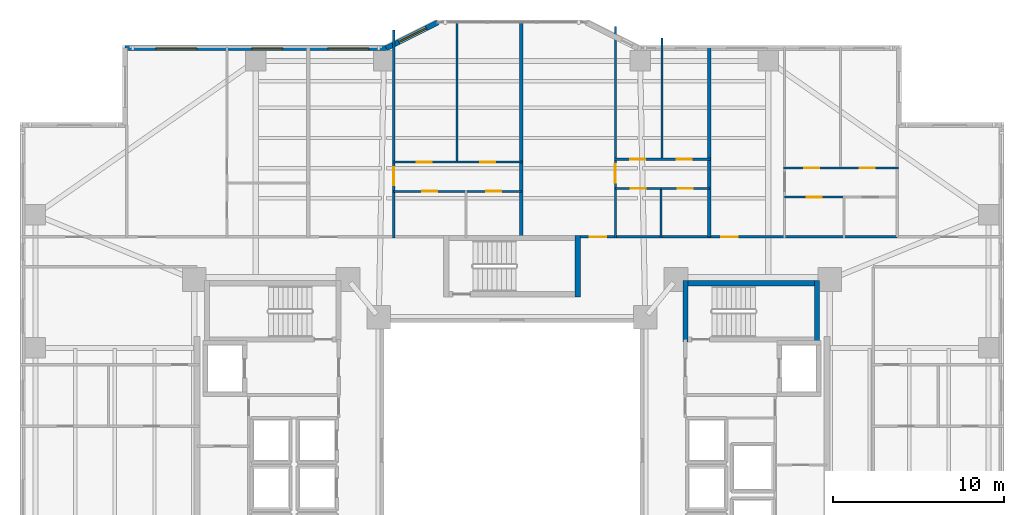
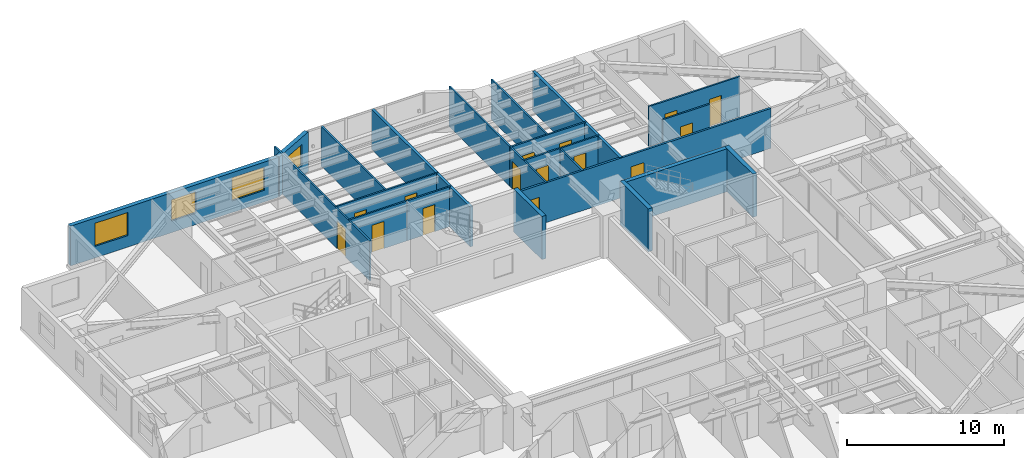
# One storey, part 15 of 21: 22 walls, 15 doors, 4 windows, 19 openings.
"""IFC4 building model written with IfcOpenShell, lengths in metres."""

import ifcopenshell
import ifcopenshell.guid

model = None  # the IFC model being written
_history = None  # IfcOwnerHistory: only IFC2X3 demands one
_inside = {}  # id of a spatial element -> (the spatial element, [elements in it])
_under = {}  # id of a project, library or spatial element -> (it, [spatial elements below it])
_declared = {}  # id of a project -> (the project, [libraries it declares])
_typed = {}  # id of a type object -> (the type object, [elements of that type])
_made_of = {}  # id of a material, layer set ... -> (it, [elements and type objects made of it])


def new_model(schema):
    """Start an empty IFC model of exactly this schema.

    Asked for "IFC4X3", IfcOpenShell would pick the latest addendum, in which some entities
    have other attributes; the version numbers below select the first issue.
    IFC2X3 requires an IfcOwnerHistory on every rooted entity: one is made here for all.
    """
    global model, _history
    if schema == "IFC4X3":
        model = ifcopenshell.file(schema_version=(4, 3, 0, 0))
    else:
        model = ifcopenshell.file(schema=schema)
    _inside.clear()
    _under.clear()
    _declared.clear()
    _typed.clear()
    _made_of.clear()
    _history = None
    if model.schema == "IFC2X3":
        org = make("IfcOrganization", Name="unknown")
        user = make(
            "IfcPersonAndOrganization",
            ThePerson=make("IfcPerson", FamilyName="unknown"),
            TheOrganization=org,
        )
        app = make(
            "IfcApplication",
            ApplicationDeveloper=org,
            Version="unknown",
            ApplicationFullName="unknown",
            ApplicationIdentifier="unknown",
        )
        _history = make(
            "IfcOwnerHistory",
            OwningUser=user,
            OwningApplication=app,
            ChangeAction="ADDED",
            CreationDate=0,
        )
    return model


def make(cls, **values):
    """One entity of the class cls with the attributes given. An attribute that is None is left unset."""
    return model.create_entity(
        cls, **{name: value for name, value in values.items() if value is not None}
    )


def rooted(cls, **values):
    """An entity with a GlobalId (a new one), such as an element, a storey or a relation."""
    return make(cls, GlobalId=ifcopenshell.guid.new(), OwnerHistory=_history, **values)


def si_unit(unit_type, name, prefix=None):
    """IfcSIUnit, for example si_unit("LENGTHUNIT", "METRE", prefix="MILLI")."""
    return make("IfcSIUnit", UnitType=unit_type, Prefix=prefix, Name=name)


def assignment(units):
    """IfcUnitAssignment: the units of a project."""
    return None if units is None else make("IfcUnitAssignment", Units=units)


def point(xyz):
    """IfcCartesianPoint."""
    return None if xyz is None else make("IfcCartesianPoint", Coordinates=xyz)


def direction(xyz):
    """IfcDirection."""
    return None if xyz is None else make("IfcDirection", DirectionRatios=xyz)


def frame(location, z_axis=None, x_axis=None):
    """IfcAxis2Placement3D, a coordinate frame: its origin and axes. An axis left out is left unset."""
    return make(
        "IfcAxis2Placement3D",
        Location=point(location),
        Axis=direction(z_axis),
        RefDirection=direction(x_axis),
    )


def frame_2d(location, x_axis=None):
    """IfcAxis2Placement2D, a coordinate frame in the plane: its origin and x axis."""
    return make(
        "IfcAxis2Placement2D", Location=point(location), RefDirection=direction(x_axis)
    )


def origin():
    """The frame at (0, 0, 0) with its axes left unset."""
    return frame((0.0, 0.0, 0.0))


def place(relative_to, where):
    """IfcLocalPlacement: puts the frame where relative to a parent placement (None: the world)."""
    return make(
        "IfcLocalPlacement", PlacementRelTo=relative_to, RelativePlacement=where
    )


def context(
    kind, dimensions, precision=None, world=None, true_north=None, identifier=None
):
    """IfcGeometricRepresentationContext, for example the 3D "Model" context."""
    return make(
        "IfcGeometricRepresentationContext",
        ContextIdentifier=identifier,
        ContextType=kind,
        CoordinateSpaceDimension=dimensions,
        Precision=precision,
        WorldCoordinateSystem=world,
        TrueNorth=true_north,
    )


def subcontext(parent, identifier, kind, view, scale=None):
    """IfcGeometricRepresentationSubContext, for example "Body" below "Model"."""
    return make(
        "IfcGeometricRepresentationSubContext",
        ContextIdentifier=identifier,
        ContextType=kind,
        ParentContext=parent,
        TargetScale=scale,
        TargetView=view,
    )


def project(units=None, contexts=None):
    """IfcProject with its units and contexts."""
    return rooted(
        "IfcProject",
        Name="project",
        RepresentationContexts=contexts,
        UnitsInContext=assignment(units),
    )


def spatial(cls, under=None, at=None, **own):
    """A site, building, storey or space (cls), placed at a placement, below another one or the project."""
    s = rooted(cls, ObjectPlacement=at, **own)
    if under is not None:
        _under.setdefault(under.id(), (under, []))[1].append(s)
    return s


def profile(cls, at=None, kind="AREA", **sizes):
    """A parametric profile (cls). Its sizes go by their IFC names, for example OverallWidth=200.0."""
    return make(cls, ProfileType=kind, Position=at, **sizes)


def rectangle(**sizes):
    """IfcRectangleProfileDef."""
    return profile("IfcRectangleProfileDef", **sizes)


def extrude(swept, where, along, depth):
    """IfcExtrudedAreaSolid: the profile swept, set in the frame where, extruded along a direction by depth."""
    return make(
        "IfcExtrudedAreaSolid",
        SweptArea=swept,
        Position=where,
        ExtrudedDirection=direction(along),
        Depth=depth,
    )


def shape(context_of_items, identifier, shape_type, items):
    """IfcShapeRepresentation: the items that make up one representation, for example the "Body"."""
    return make(
        "IfcShapeRepresentation",
        ContextOfItems=context_of_items,
        RepresentationIdentifier=identifier,
        RepresentationType=shape_type,
        Items=items,
    )


def material(Name=None, Category=None):
    """IfcMaterial."""
    return make("IfcMaterial", Name=Name, Category=Category)


def layer(
    of_material, thickness, ventilated=None, Name=None, Category=None, Priority=None
):
    """IfcMaterialLayer: one layer of a wall or slab, of a material (None: an air gap)."""
    return make(
        "IfcMaterialLayer",
        Material=of_material,
        LayerThickness=thickness,
        IsVentilated=ventilated,
        Name=Name,
        Category=Category,
        Priority=Priority,
    )


def layer_set(layers, Name=None):
    """IfcMaterialLayerSet."""
    return make("IfcMaterialLayerSet", MaterialLayers=layers, LayerSetName=Name)


def made_of(thing, what):
    """Note that an element or type object is made of a material, layer set ...; save() writes the relation."""
    if what is not None:
        _made_of.setdefault(what.id(), (what, []))[1].append(thing)
    return thing


def type_object(cls, material=None, **own):
    """A type object (cls), such as IfcWallType, which elements share."""
    return made_of(rooted(cls, **own), material)


def element(
    cls,
    number,
    at=None,
    inside=None,
    cuts=None,
    type_object=None,
    material=None,
    context=None,
    identifier="Body",
    shape_type=None,
    held_by="IfcProductDefinitionShape",
    body=None,
    shapes=None,
    **own,
):
    """One element of the class cls, such as IfcWall. Its Tag is "e" and its number.

    at: its placement. inside: the storey or other place that contains it. cuts: it is an
    opening in that element (IfcRelVoidsElement). A single representation is given by context,
    identifier, shape_type and body (its items); several are given by shapes. held_by: the class
    of the entity that holds the representations. save() writes the other relations.
    """
    e = rooted(cls, Tag="e%d" % number, ObjectPlacement=at, **own)
    if body is not None:
        shapes = [shape(context, identifier, shape_type, body)]
    if shapes is not None:
        e.Representation = make(held_by, Representations=shapes)
    if inside is not None:
        _inside.setdefault(inside.id(), (inside, []))[1].append(e)
    if cuts is not None:
        rooted(
            "IfcRelVoidsElement", RelatingBuildingElement=cuts, RelatedOpeningElement=e
        )
    if type_object is not None:
        _typed.setdefault(type_object.id(), (type_object, []))[1].append(e)
    return made_of(e, material)


def fill(opening, filler):
    """IfcRelFillsElement: the door or window that sits in an opening."""
    return rooted(
        "IfcRelFillsElement",
        RelatingOpeningElement=opening,
        RelatedBuildingElement=filler,
    )


def aggregate(whole, parts):
    """IfcRelAggregates: a whole, such as a stair, and the parts it consists of."""
    return rooted("IfcRelAggregates", RelatingObject=whole, RelatedObjects=parts)


def save(model, path):
    """Write the relations noted so far, then the file.

    IfcRelAggregates (storeys below a building ...), IfcRelContainedInSpatialStructure (elements
    in a storey), IfcRelDefinesByType, IfcRelAssociatesMaterial and IfcRelDeclares: one each for
    every whole, place, type object, material and project.
    """
    for whole, parts in _under.values():
        aggregate(whole, parts)
    for where, things in _inside.values():
        rooted(
            "IfcRelContainedInSpatialStructure",
            RelatedElements=things,
            RelatingStructure=where,
        )
    for kind, things in _typed.values():
        rooted("IfcRelDefinesByType", RelatedObjects=things, RelatingType=kind)
    for what, things in _made_of.values():
        rooted("IfcRelAssociatesMaterial", RelatedObjects=things, RelatingMaterial=what)
    for by, libraries in _declared.values():
        rooted("IfcRelDeclares", RelatingContext=by, RelatedDefinitions=libraries)
    model.write(path)


model = new_model("IFC4")

# Units and contexts
model_context = context("Model", 3, precision=1e-05, world=origin(), true_north=direction((0.0, 1.0)))
body_context = subcontext(model_context, "Body", "Model", "MODEL_VIEW")
ifc_project = project(units=[si_unit("LENGTHUNIT", "METRE"), si_unit("AREAUNIT", "SQUARE_METRE"), si_unit("VOLUMEUNIT", "CUBIC_METRE"), si_unit("PLANEANGLEUNIT", "RADIAN"), si_unit("MASSUNIT", "GRAM", prefix="KILO")], contexts=[model_context])

# Site, building, storey
site_placement = place(None, origin())
site = spatial("IfcSite", under=ifc_project, at=site_placement, CompositionType="ELEMENT")
building_placement = place(site_placement, origin())
building = spatial("IfcBuilding", under=site, at=building_placement, Name="Tarnavaz Court Tower", CompositionType="ELEMENT")
storey_placement = place(building_placement, frame((0.0, 0.0, 24.0)))
storey = spatial("IfcBuildingStorey", under=building, at=storey_placement, Name="L05", CompositionType="ELEMENT", Elevation=24.0)

# Walls
ifc_material_1 = material(Name="Concrete C60/75", Category="concrete")
ifc_layer_1 = layer(ifc_material_1, 0.300048828125)
ifc_layer_set_1 = layer_set([ifc_layer_1], Name="Concrete C60/75")
wall_type_1 = type_object("IfcWallType", Name="WL-CORE-300-C60", PredefinedType="SHEAR", material=ifc_layer_set_1)
wall_1_placement = place(storey_placement, frame((10.0, 9.7900390625, 0.0), z_axis=(0.0, 0.0, 1.0), x_axis=(1.0, 0.0, 0.0)))
element("IfcWall", 1, at=wall_1_placement, inside=storey, type_object=wall_type_1, Name="L05 East Stair Core Wall 005", PredefinedType="SHEAR", context=body_context, shape_type="SweptSolid", body=[
    extrude(rectangle(XDim=8.0, YDim=0.300048828125, at=frame_2d((4.0, 0.0))), origin(), (0.0, 0.0, 1.0), 3.35009765625),
])
for number, where, z_axis, x_axis, name in (
    (2, (10.14990234375, 6.35009765625, 0.0), (0.0, 0.0, 1.0), (0.0, 1.0, 0.0), "L05 East Stair Core Wall 007"),
    (3, (17.85009765625, 6.35009765625, 0.0), (0.0, 0.0, 1.0), (0.0, 1.0, 0.0), "L05 East Stair Core Wall 008"),
):
    element("IfcWall", number, at=place(storey_placement, frame(where, z_axis=z_axis, x_axis=x_axis)), inside=storey, type_object=wall_type_1, Name=name, PredefinedType="SHEAR", context=body_context, shape_type="SweptSolid", body=[
        extrude(rectangle(XDim=3.58984375, YDim=0.300048828125, at=frame_2d((1.794921875, 0.0))), origin(), (0.0, 0.0, 1.0), 3.35009765625),
    ])
wall_2_placement = place(storey_placement, frame((3.85009765625, 9.0, 0.0), z_axis=(0.0, 0.0, 1.0), x_axis=(0.0, 1.0, 0.0)))
element("IfcWall", 4, at=wall_2_placement, inside=storey, type_object=wall_type_1, Name="L05 North Stair Core Wall 012", PredefinedType="SHEAR", context=body_context, shape_type="SweptSolid", body=[
    extrude(rectangle(XDim=3.590087890625, YDim=0.300048828125, at=frame_2d((1.794921875, 0.0))), origin(), (0.0, 0.0, 1.0), 3.35009765625),
])

# Wall, openings, windows
ifc_material_2 = material(Name="Precast Concrete C40/50", Category="concrete")
ifc_layer_2 = layer(ifc_material_2, 0.300048828125)
ifc_layer_set_2 = layer_set([ifc_layer_2], Name="Precast Concrete C40/50")
wall_type_2 = type_object("IfcWallType", Name="WL-EXT-300", PredefinedType="SOLIDWALL", material=ifc_layer_set_2)
wall_3_placement = place(storey_placement, frame((-22.64990234375, 23.550048828125, 0.0), z_axis=(0.0, 0.0, 1.0), x_axis=(1.0, 0.0, 0.0)))
wall_3 = element("IfcWall", 5, at=wall_3_placement, inside=storey, type_object=wall_type_2, Name="L05 Exterior Terracotta Facade Wall 05", PredefinedType="SOLIDWALL", context=body_context, shape_type="SweptSolid", body=[
    extrude(rectangle(XDim=15.2998046875, YDim=0.300048828125, at=frame_2d((7.64990234375, 0.0))), origin(), (0.0, 0.0, 1.0), 3.10009765625),
])
opening_1_placement = place(wall_3_placement, frame((1.809814453125, 0.0, 0.89990234375)))
opening_1 = element("IfcOpeningElement", 6, at=opening_1_placement, cuts=wall_3, Name="Opening W06", PredefinedType="OPENING", context=body_context, shape_type="SweptSolid", body=[
    extrude(rectangle(XDim=2.39990234375, YDim=1.800048828125, at=frame_2d((1.199951171875, 0.89990234375))), frame((0.0, 0.159912109375, 0.0), z_axis=(0.0, -1.0, 0.0), x_axis=(1.0, 0.0, 0.0)), (0.0, 0.0, 1.0), 0.320068359375),
])
opening_2_placement = place(wall_3_placement, frame((7.42724609375, 0.0, 0.89990234375)))
opening_2 = element("IfcOpeningElement", 7, at=opening_2_placement, cuts=wall_3, Name="Opening W01", PredefinedType="OPENING", context=body_context, shape_type="SweptSolid", body=[
    extrude(rectangle(XDim=1.800048828125, YDim=1.64990234375, at=frame_2d((0.89990234375, 0.824951171875))), frame((0.0, 0.159912109375, 0.0), z_axis=(0.0, -1.0, 0.0), x_axis=(1.0, 0.0, 0.0)), (0.0, 0.0, 1.0), 0.320068359375),
])
opening_3_placement = place(wall_3_placement, frame((11.86767578125, 0.0, 0.89990234375)))
opening_3 = element("IfcOpeningElement", 8, at=opening_3_placement, cuts=wall_3, Name="Opening W06", PredefinedType="OPENING", context=body_context, shape_type="SweptSolid", body=[
    extrude(rectangle(XDim=2.39990234375, YDim=1.800048828125, at=frame_2d((1.199951171875, 0.89990234375))), frame((0.0, 0.159912109375, 0.0), z_axis=(0.0, -1.0, 0.0), x_axis=(1.0, 0.0, 0.0)), (0.0, 0.0, 1.0), 0.320068359375),
])
ifc_material_3 = material(Name="Double-Glazed Solar Low-E Glass", Category="glass")
window_type_1 = type_object("IfcWindowType", Name="WN-APT-1800", PartitioningType="DOUBLE_PANEL_VERTICAL", PredefinedType="WINDOW", material=ifc_material_3)
window_1_placement = place(opening_2_placement, origin())
window_1 = element("IfcWindow", 9, at=window_1_placement, inside=storey, type_object=window_type_1, Name="L05 Flat 01 Kitchen Window", OverallHeight=1.64990234375, OverallWidth=1.800048828125, PartitioningType="SINGLE_PANEL", PredefinedType="WINDOW", context=body_context, shape_type="SweptSolid", body=[
    extrude(rectangle(XDim=1.800048828125, YDim=1.64990234375, at=frame_2d((0.89990234375, 0.824951171875))), frame((0.0, 0.030029296875, 0.0), z_axis=(0.0, -1.0, 0.0), x_axis=(1.0, 0.0, 0.0)), (0.0, 0.0, 1.0), 0.06005859375),
])
fill(opening_2, window_1)
window_type_2 = type_object("IfcWindowType", Name="WN-APT-2400", PartitioningType="TRIPLE_PANEL_VERTICAL", PredefinedType="WINDOW", material=ifc_material_3)
window_2_placement = place(opening_1_placement, origin())
window_2 = element("IfcWindow", 10, at=window_2_placement, inside=storey, type_object=window_type_2, Name="L05 Flat 01 Studio Living and Sleeping Room Window", OverallHeight=1.800048828125, OverallWidth=2.39990234375, PartitioningType="SINGLE_PANEL", PredefinedType="WINDOW", context=body_context, shape_type="SweptSolid", body=[
    extrude(rectangle(XDim=2.39990234375, YDim=1.800048828125, at=frame_2d((1.199951171875, 0.89990234375))), frame((0.0, 0.030029296875, 0.0), z_axis=(0.0, -1.0, 0.0), x_axis=(1.0, 0.0, 0.0)), (0.0, 0.0, 1.0), 0.06005859375),
])
fill(opening_1, window_2)
window_3_placement = place(opening_3_placement, origin())
window_3 = element("IfcWindow", 11, at=window_3_placement, inside=storey, type_object=window_type_2, Name="L05 Flat 02 Living and Dining Room Window", OverallHeight=1.800048828125, OverallWidth=2.39990234375, PartitioningType="SINGLE_PANEL", PredefinedType="WINDOW", context=body_context, shape_type="SweptSolid", body=[
    extrude(rectangle(XDim=2.39990234375, YDim=1.800048828125, at=frame_2d((1.199951171875, 0.89990234375))), frame((0.0, 0.030029296875, 0.0), z_axis=(0.0, -1.0, 0.0), x_axis=(1.0, 0.0, 0.0)), (0.0, 0.0, 1.0), 0.06005859375),
])
fill(opening_3, window_3)

# Wall, opening, window
wall_4_placement = place(storey_placement, frame((-7.35009765625, 23.550048828125, 0.0), z_axis=(0.0, 0.0, 1.0), x_axis=(0.894427191, 0.4472135955, 0.0)))
wall_4 = element("IfcWall", 12, at=wall_4_placement, inside=storey, type_object=wall_type_2, Name="L05 Exterior Terracotta Facade Wall 06", PredefinedType="SOLIDWALL", context=body_context, shape_type="SweptSolid", body=[
    extrude(rectangle(XDim=3.35400390625, YDim=0.300048828125, at=frame_2d((1.677001953125, 0.0))), origin(), (0.0, 0.0, 1.0), 3.10009765625),
])
opening_4_placement = place(wall_4_placement, frame((0.80712890625, 0.0, 0.89990234375)))
opening_4 = element("IfcOpeningElement", 13, at=opening_4_placement, cuts=wall_4, Name="Opening W01", PredefinedType="OPENING", context=body_context, shape_type="SweptSolid", body=[
    extrude(rectangle(XDim=1.800048828125, YDim=1.64990234375, at=frame_2d((0.89990234375, 0.824951171875))), frame((0.0, 0.159912109375, 0.0), z_axis=(0.0, -1.0, 0.0), x_axis=(1.0, 0.0, 0.0)), (0.0, 0.0, 1.0), 0.320068359375),
])
window_4_placement = place(opening_4_placement, origin())
window_4 = element("IfcWindow", 14, at=window_4_placement, inside=storey, type_object=window_type_1, Name="L05 Flat 02 Principal Bedroom Window", OverallHeight=1.64990234375, OverallWidth=1.800048828125, PartitioningType="SINGLE_PANEL", PredefinedType="WINDOW", context=body_context, shape_type="SweptSolid", body=[
    extrude(rectangle(XDim=1.800048828125, YDim=1.64990234375, at=frame_2d((0.89990234375, 0.824951171875))), frame((0.0, 0.030029296875, 0.0), z_axis=(0.0, -1.0, 0.0), x_axis=(1.0, 0.0, 0.0)), (0.0, 0.0, 1.0), 0.06005859375),
])
fill(opening_4, window_4)

# Wall, openings, doors
ifc_material_4 = material(Name="Gypsum Fire-Board on Acoustic Metal Stud", Category="masonry")
ifc_layer_3 = layer(ifc_material_4, 0.14990234375)
ifc_layer_set_3 = layer_set([ifc_layer_3], Name="Gypsum Fire-Board on Acoustic Metal Stud")
wall_type_3 = type_object("IfcWallType", Name="WL-FIRE-150", PredefinedType="PARTITIONING", material=ifc_layer_set_3)
wall_5_placement = place(storey_placement, frame((3.85009765625, 12.5, 0.0), z_axis=(0.0, 0.0, 1.0), x_axis=(1.0, 0.0, 0.0)))
wall_5 = element("IfcWall", 15, at=wall_5_placement, inside=storey, type_object=wall_type_3, Name="L05 NE Wing Corridor Wall 082", PredefinedType="PARTITIONING", context=body_context, shape_type="SweptSolid", body=[
    extrude(rectangle(XDim=18.699951171875, YDim=0.14990234375, at=frame_2d((9.35009765625, 0.0))), origin(), (0.0, 0.0, 1.0), 3.10009765625),
])
opening_5_placement = place(wall_5_placement, frame((0.699951171875, 0.0, 0.0)))
opening_5 = element("IfcOpeningElement", 16, at=opening_5_placement, cuts=wall_5, Name="Opening D06", PredefinedType="OPENING", context=body_context, shape_type="SweptSolid", body=[
    extrude(rectangle(XDim=0.9599609375, YDim=2.14990234375, at=frame_2d((0.47998046875, 1.074951171875))), frame((0.0, 0.0849609375, 0.0), z_axis=(0.0, -1.0, 0.0), x_axis=(1.0, 0.0, 0.0)), (0.0, 0.0, 1.0), 0.169921875),
])
opening_6_placement = place(wall_5_placement, frame((8.39990234375, 0.0, 0.0)))
opening_6 = element("IfcOpeningElement", 17, at=opening_6_placement, cuts=wall_5, Name="Opening D06", PredefinedType="OPENING", context=body_context, shape_type="SweptSolid", body=[
    extrude(rectangle(XDim=0.9599609375, YDim=2.14990234375, at=frame_2d((0.47998046875, 1.074951171875))), frame((0.0, 0.0849609375, 0.0), z_axis=(0.0, -1.0, 0.0), x_axis=(1.0, 0.0, 0.0)), (0.0, 0.0, 1.0), 0.169921875),
])
ifc_material_5 = material(Name="Fire-Rated Hardwood Timber Core", Category="wood")
door_type_1 = type_object("IfcDoorType", Name="DR-FD60-950", OperationType="NOTDEFINED", PredefinedType="DOOR", material=ifc_material_5)
door_1_placement = place(opening_5_placement, origin())
door_1 = element("IfcDoor", 18, at=door_1_placement, inside=storey, type_object=door_type_1, Name="L05 Flat 03 Entrance Door", OperationType="SINGLE_SWING_RIGHT", OverallHeight=2.14990234375, OverallWidth=0.9599609375, PredefinedType="DOOR", context=body_context, shape_type="SweptSolid", body=[
    extrude(rectangle(XDim=0.9599609375, YDim=2.14990234375, at=frame_2d((0.47998046875, 1.074951171875))), frame((0.0, 0.02490234375, 0.0), z_axis=(0.0, -1.0, 0.0), x_axis=(1.0, 0.0, 0.0)), (0.0, 0.0, 1.0), 0.050048828125),
])
fill(opening_5, door_1)
door_2_placement = place(opening_6_placement, origin())
door_2 = element("IfcDoor", 19, at=door_2_placement, inside=storey, type_object=door_type_1, Name="L05 Flat 04 Entrance Door", OperationType="SINGLE_SWING_RIGHT", OverallHeight=2.14990234375, OverallWidth=0.9599609375, PredefinedType="DOOR", context=body_context, shape_type="SweptSolid", body=[
    extrude(rectangle(XDim=0.9599609375, YDim=2.14990234375, at=frame_2d((0.47998046875, 1.074951171875))), frame((0.0, 0.02490234375, 0.0), z_axis=(0.0, -1.0, 0.0), x_axis=(1.0, 0.0, 0.0)), (0.0, 0.0, 1.0), 0.050048828125),
])
fill(opening_6, door_2)

# Walls
ifc_material_6 = material(Name="Autoclaved Aerated Concrete Blockwork", Category="masonry")
ifc_layer_4 = layer(ifc_material_6, 0.199951171875)
ifc_layer_set_4 = layer_set([ifc_layer_4], Name="Autoclaved Aerated Concrete Blockwork")
wall_type_4 = type_object("IfcWallType", Name="WL-FIRE-200", PredefinedType="SOLIDWALL", material=ifc_layer_set_4)
wall_6_placement = place(storey_placement, frame((0.550048828125, 12.5, 0.0), z_axis=(0.0, 0.0, 1.0), x_axis=(0.0, 1.0, 0.0)))
element("IfcWall", 20, at=wall_6_placement, inside=storey, type_object=wall_type_4, Name="L05 North Center Party Wall 087", PredefinedType="SOLIDWALL", context=body_context, shape_type="SweptSolid", body=[
    extrude(rectangle(XDim=12.580078125, YDim=0.199951171875, at=frame_2d((6.2900390625, 0.0))), origin(), (0.0, 0.0, 1.0), 3.10009765625),
])
wall_7_placement = place(storey_placement, frame((11.550048828125, 12.5, 0.0), z_axis=(0.0, 0.0, 1.0), x_axis=(0.0, 1.0, 0.0)))
element("IfcWall", 21, at=wall_7_placement, inside=storey, type_object=wall_type_4, Name="L05 Party Wall 098", PredefinedType="SOLIDWALL", context=body_context, shape_type="SweptSolid", body=[
    extrude(rectangle(XDim=11.10009765625, YDim=0.199951171875, at=frame_2d((5.550048828125, 0.0))), origin(), (0.0, 0.0, 1.0), 3.10009765625),
])

# Wall, opening, door
ifc_material_7 = material(Name="Moisture-Resistant Gypsum Board Partition", Category="masonry")
ifc_layer_5 = layer(ifc_material_7, 0.1201171875)
ifc_layer_set_5 = layer_set([ifc_layer_5], Name="Moisture-Resistant Gypsum Board Partition")
wall_type_5 = type_object("IfcWallType", Name="WL-PART-120", PredefinedType="PARTITIONING", material=ifc_layer_set_5)
wall_8_placement = place(storey_placement, frame((-6.922119140625, 12.43994140625, 0.0), z_axis=(0.0, 0.0, 1.0), x_axis=(0.0, 1.0, 0.0)))
wall_8 = element("IfcWall", 22, at=wall_8_placement, inside=storey, type_object=wall_type_5, Name="L05 Interior Partition 092", PredefinedType="PARTITIONING", context=body_context, shape_type="SweptSolid", body=[
    extrude(rectangle(XDim=12.166015625, YDim=0.1201171875, at=frame_2d((6.0830078125, 0.0))), origin(), (0.0, 0.0, 1.0), 3.10009765625),
])
opening_7_placement = place(wall_8_placement, frame((3.074951171875, 0.0, 0.0)))
opening_7 = element("IfcOpeningElement", 23, at=opening_7_placement, cuts=wall_8, Name="Opening D12", PredefinedType="OPENING", context=body_context, shape_type="SweptSolid", body=[
    extrude(rectangle(XDim=1.080078125, YDim=2.14990234375, at=frame_2d((0.5400390625, 1.074951171875))), frame((0.0, 0.070068359375, 0.0), z_axis=(0.0, -1.0, 0.0), x_axis=(1.0, 0.0, 0.0)), (0.0, 0.0, 1.0), 0.14013671875),
])
ifc_material_8 = material(Name="Engineered Oak Timber", Category="wood")
door_type_2 = type_object("IfcDoorType", Name="DR-INT-1100", OperationType="NOTDEFINED", PredefinedType="DOOR", material=ifc_material_8)
door_3_placement = place(opening_7_placement, origin())
door_3 = element("IfcDoor", 24, at=door_3_placement, inside=storey, type_object=door_type_2, Name="L05 Flat 02 Foyer Door", OperationType="SINGLE_SWING_LEFT", OverallHeight=2.14990234375, OverallWidth=1.080078125, PredefinedType="DOOR", context=body_context, shape_type="SweptSolid", body=[
    extrude(rectangle(XDim=1.080078125, YDim=2.14990234375, at=frame_2d((0.5400390625, 1.074951171875))), frame((0.0, 0.02490234375, 0.0), z_axis=(0.0, -1.0, 0.0), x_axis=(1.0, 0.0, 0.0)), (0.0, 0.0, 1.0), 0.050048828125),
])
fill(opening_7, door_3)

wall_9_placement = place(storey_placement, frame((-6.922119140625, 15.169921875, 0.0), z_axis=(0.0, 0.0, 1.0), x_axis=(1.0, 0.0, 0.0)))
wall_9 = element("IfcWall", 25, at=wall_9_placement, inside=storey, type_object=wall_type_5, Name="L05 Interior Partition 093", PredefinedType="PARTITIONING", context=body_context, shape_type="SweptSolid", body=[
    extrude(rectangle(XDim=4.22509765625, YDim=0.1201171875, at=frame_2d((2.112548828125, 0.0))), origin(), (0.0, 0.0, 1.0), 3.10009765625),
])
opening_8_placement = place(wall_9_placement, frame((1.672119140625, 0.0, 0.0)))
opening_8 = element("IfcOpeningElement", 26, at=opening_8_placement, cuts=wall_9, Name="Opening D14", PredefinedType="OPENING", context=body_context, shape_type="SweptSolid", body=[
    extrude(rectangle(XDim=0.8798828125, YDim=2.10009765625, at=frame_2d((0.43994140625, 1.050048828125))), frame((0.0, 0.070068359375, 0.0), z_axis=(0.0, -1.0, 0.0), x_axis=(1.0, 0.0, 0.0)), (0.0, 0.0, 1.0), 0.14013671875),
])
door_type_3 = type_object("IfcDoorType", Name="DR-INT-900", OperationType="NOTDEFINED", PredefinedType="DOOR", material=ifc_material_8)
door_4_placement = place(opening_8_placement, origin())
door_4 = element("IfcDoor", 27, at=door_4_placement, inside=storey, type_object=door_type_3, Name="L05 Flat 02 Kitchen Door", OperationType="SINGLE_SWING_RIGHT", OverallHeight=2.10009765625, OverallWidth=0.8798828125, PredefinedType="DOOR", context=body_context, shape_type="SweptSolid", body=[
    extrude(rectangle(XDim=0.8798828125, YDim=2.10009765625, at=frame_2d((0.43994140625, 1.050048828125))), frame((0.0, 0.02490234375, 0.0), z_axis=(0.0, -1.0, 0.0), x_axis=(1.0, 0.0, 0.0)), (0.0, 0.0, 1.0), 0.050048828125),
])
fill(opening_8, door_4)

wall_10_placement = place(storey_placement, frame((-2.697021484375, 15.169921875, 0.0), z_axis=(0.0, 0.0, 1.0), x_axis=(1.0, 0.0, 0.0)))
wall_10 = element("IfcWall", 28, at=wall_10_placement, inside=storey, type_object=wall_type_5, Name="L05 Interior Partition 094", PredefinedType="PARTITIONING", context=body_context, shape_type="SweptSolid", body=[
    extrude(rectangle(XDim=3.2470703125, YDim=0.1201171875, at=frame_2d((1.62353515625, 0.0))), origin(), (0.0, 0.0, 1.0), 3.10009765625),
])
opening_9_placement = place(wall_10_placement, frame((1.18310546875, 0.0, 0.0)))
opening_9 = element("IfcOpeningElement", 29, at=opening_9_placement, cuts=wall_10, Name="Opening D14", PredefinedType="OPENING", context=body_context, shape_type="SweptSolid", body=[
    extrude(rectangle(XDim=0.8798828125, YDim=2.10009765625, at=frame_2d((0.43994140625, 1.050048828125))), frame((0.0, 0.070068359375, 0.0), z_axis=(0.0, -1.0, 0.0), x_axis=(1.0, 0.0, 0.0)), (0.0, 0.0, 1.0), 0.14013671875),
])
door_5_placement = place(opening_9_placement, origin())
door_5 = element("IfcDoor", 30, at=door_5_placement, inside=storey, type_object=door_type_3, Name="L05 Flat 02 Bathroom Door", OperationType="SINGLE_SWING_LEFT", OverallHeight=2.10009765625, OverallWidth=0.8798828125, PredefinedType="DOOR", context=body_context, shape_type="SweptSolid", body=[
    extrude(rectangle(XDim=0.8798828125, YDim=2.10009765625, at=frame_2d((0.43994140625, 1.050048828125))), frame((0.0, 0.02490234375, 0.0), z_axis=(0.0, -1.0, 0.0), x_axis=(1.0, 0.0, 0.0)), (0.0, 0.0, 1.0), 0.050048828125),
])
fill(opening_9, door_5)

# Wall, openings, doors
wall_11_placement = place(storey_placement, frame((-6.98193359375, 16.8798828125, 0.0), z_axis=(0.0, 0.0, 1.0), x_axis=(1.0, 0.0, 0.0)))
wall_11 = element("IfcWall", 31, at=wall_11_placement, inside=storey, type_object=wall_type_5, Name="L05 Interior Partition 095", PredefinedType="PARTITIONING", context=body_context, shape_type="SweptSolid", body=[
    extrude(rectangle(XDim=7.592041015625, YDim=0.1201171875, at=frame_2d((3.7958984375, 0.0))), origin(), (0.0, 0.0, 1.0), 3.10009765625),
])
opening_10_placement = place(wall_11_placement, frame((1.4130859375, 0.0, 0.0)))
opening_10 = element("IfcOpeningElement", 32, at=opening_10_placement, cuts=wall_11, Name="Opening D14", PredefinedType="OPENING", context=body_context, shape_type="SweptSolid", body=[
    extrude(rectangle(XDim=0.8798828125, YDim=2.10009765625, at=frame_2d((0.43994140625, 1.050048828125))), frame((0.0, 0.070068359375, 0.0), z_axis=(0.0, -1.0, 0.0), x_axis=(1.0, 0.0, 0.0)), (0.0, 0.0, 1.0), 0.14013671875),
])
opening_11_placement = place(wall_11_placement, frame((5.118896484375, 0.0, 0.0)))
opening_11 = element("IfcOpeningElement", 33, at=opening_11_placement, cuts=wall_11, Name="Opening D14", PredefinedType="OPENING", context=body_context, shape_type="SweptSolid", body=[
    extrude(rectangle(XDim=0.8798828125, YDim=2.10009765625, at=frame_2d((0.43994140625, 1.050048828125))), frame((0.0, 0.070068359375, 0.0), z_axis=(0.0, -1.0, 0.0), x_axis=(1.0, 0.0, 0.0)), (0.0, 0.0, 1.0), 0.14013671875),
])
door_6_placement = place(opening_10_placement, origin())
door_6 = element("IfcDoor", 34, at=door_6_placement, inside=storey, type_object=door_type_3, Name="L05 Flat 02 Bedroom 1 Door", OperationType="SINGLE_SWING_RIGHT", OverallHeight=2.10009765625, OverallWidth=0.8798828125, PredefinedType="DOOR", context=body_context, shape_type="SweptSolid", body=[
    extrude(rectangle(XDim=0.8798828125, YDim=2.10009765625, at=frame_2d((0.43994140625, 1.050048828125))), frame((0.0, 0.02490234375, 0.0), z_axis=(0.0, -1.0, 0.0), x_axis=(1.0, 0.0, 0.0)), (0.0, 0.0, 1.0), 0.050048828125),
])
fill(opening_10, door_6)
door_7_placement = place(opening_11_placement, origin())
door_7 = element("IfcDoor", 35, at=door_7_placement, inside=storey, type_object=door_type_3, Name="L05 Flat 02 Bedroom 2 Door", OperationType="SINGLE_SWING_LEFT", OverallHeight=2.10009765625, OverallWidth=0.8798828125, PredefinedType="DOOR", context=body_context, shape_type="SweptSolid", body=[
    extrude(rectangle(XDim=0.8798828125, YDim=2.10009765625, at=frame_2d((0.43994140625, 1.050048828125))), frame((0.0, 0.02490234375, 0.0), z_axis=(0.0, -1.0, 0.0), x_axis=(1.0, 0.0, 0.0)), (0.0, 0.0, 1.0), 0.050048828125),
])
fill(opening_11, door_7)

# Wall
wall_12_placement = place(storey_placement, frame((-3.216064453125, 16.820068359375, 0.0), z_axis=(0.0, 0.0, 1.0), x_axis=(0.0, 1.0, 0.0)))
element("IfcWall", 36, at=wall_12_placement, inside=storey, type_object=wall_type_5, Name="L05 Interior Partition 097", PredefinedType="PARTITIONING", context=body_context, shape_type="SweptSolid", body=[
    extrude(rectangle(XDim=8.260009765625, YDim=0.1201171875, at=frame_2d((4.1298828125, 0.0))), origin(), (0.0, 0.0, 1.0), 3.10009765625),
])

# Wall, opening, door
wall_13_placement = place(storey_placement, frame((6.050048828125, 12.43994140625, 0.0), z_axis=(0.0, 0.0, 1.0), x_axis=(0.0, 1.0, 0.0)))
wall_13 = element("IfcWall", 37, at=wall_13_placement, inside=storey, type_object=wall_type_5, Name="L05 Interior Partition 099", PredefinedType="PARTITIONING", context=body_context, shape_type="SweptSolid", body=[
    extrude(rectangle(XDim=12.381103515625, YDim=0.1201171875, at=frame_2d((6.1904296875, 0.0))), origin(), (0.0, 0.0, 1.0), 3.10009765625),
])
opening_12_placement = place(wall_13_placement, frame((3.2451171875, 0.0, 0.0)))
opening_12 = element("IfcOpeningElement", 38, at=opening_12_placement, cuts=wall_13, Name="Opening D12", PredefinedType="OPENING", context=body_context, shape_type="SweptSolid", body=[
    extrude(rectangle(XDim=1.080078125, YDim=2.14990234375, at=frame_2d((0.5400390625, 1.074951171875))), frame((0.0, 0.070068359375, 0.0), z_axis=(0.0, -1.0, 0.0), x_axis=(1.0, 0.0, 0.0)), (0.0, 0.0, 1.0), 0.14013671875),
])
door_8_placement = place(opening_12_placement, origin())
door_8 = element("IfcDoor", 39, at=door_8_placement, inside=storey, type_object=door_type_2, Name="L05 Flat 03 Foyer Door", OperationType="SINGLE_SWING_LEFT", OverallHeight=2.14990234375, OverallWidth=1.080078125, PredefinedType="DOOR", context=body_context, shape_type="SweptSolid", body=[
    extrude(rectangle(XDim=1.080078125, YDim=2.14990234375, at=frame_2d((0.5400390625, 1.074951171875))), frame((0.0, 0.02490234375, 0.0), z_axis=(0.0, -1.0, 0.0), x_axis=(1.0, 0.0, 0.0)), (0.0, 0.0, 1.0), 0.050048828125),
])
fill(opening_12, door_8)

wall_14_placement = place(storey_placement, frame((6.050048828125, 15.340087890625, 0.0), z_axis=(0.0, 0.0, 1.0), x_axis=(1.0, 0.0, 0.0)))
wall_14 = element("IfcWall", 40, at=wall_14_placement, inside=storey, type_object=wall_type_5, Name="L05 Interior Partition 100", PredefinedType="PARTITIONING", context=body_context, shape_type="SweptSolid", body=[
    extrude(rectangle(XDim=2.666015625, YDim=0.1201171875, at=frame_2d((1.3330078125, 0.0))), origin(), (0.0, 0.0, 1.0), 3.10009765625),
])
opening_13_placement = place(wall_14_placement, frame((0.89306640625, 0.0, 0.0)))
opening_13 = element("IfcOpeningElement", 41, at=opening_13_placement, cuts=wall_14, Name="Opening D14", PredefinedType="OPENING", context=body_context, shape_type="SweptSolid", body=[
    extrude(rectangle(XDim=0.8798828125, YDim=2.10009765625, at=frame_2d((0.43994140625, 1.050048828125))), frame((0.0, 0.070068359375, 0.0), z_axis=(0.0, -1.0, 0.0), x_axis=(1.0, 0.0, 0.0)), (0.0, 0.0, 1.0), 0.14013671875),
])
door_9_placement = place(opening_13_placement, origin())
door_9 = element("IfcDoor", 42, at=door_9_placement, inside=storey, type_object=door_type_3, Name="L05 Flat 03 Kitchen Door", OperationType="SINGLE_SWING_RIGHT", OverallHeight=2.10009765625, OverallWidth=0.8798828125, PredefinedType="DOOR", context=body_context, shape_type="SweptSolid", body=[
    extrude(rectangle(XDim=0.8798828125, YDim=2.10009765625, at=frame_2d((0.43994140625, 1.050048828125))), frame((0.0, 0.02490234375, 0.0), z_axis=(0.0, -1.0, 0.0), x_axis=(1.0, 0.0, 0.0)), (0.0, 0.0, 1.0), 0.050048828125),
])
fill(opening_13, door_9)

wall_15_placement = place(storey_placement, frame((8.716064453125, 15.340087890625, 0.0), z_axis=(0.0, 0.0, 1.0), x_axis=(1.0, 0.0, 0.0)))
wall_15 = element("IfcWall", 43, at=wall_15_placement, inside=storey, type_object=wall_type_5, Name="L05 Interior Partition 101", PredefinedType="PARTITIONING", context=body_context, shape_type="SweptSolid", body=[
    extrude(rectangle(XDim=2.833984375, YDim=0.1201171875, at=frame_2d((1.4169921875, 0.0))), origin(), (0.0, 0.0, 1.0), 3.10009765625),
])
opening_14_placement = place(wall_15_placement, frame((0.97705078125, 0.0, 0.0)))
opening_14 = element("IfcOpeningElement", 44, at=opening_14_placement, cuts=wall_15, Name="Opening D14", PredefinedType="OPENING", context=body_context, shape_type="SweptSolid", body=[
    extrude(rectangle(XDim=0.8798828125, YDim=2.10009765625, at=frame_2d((0.43994140625, 1.050048828125))), frame((0.0, 0.070068359375, 0.0), z_axis=(0.0, -1.0, 0.0), x_axis=(1.0, 0.0, 0.0)), (0.0, 0.0, 1.0), 0.14013671875),
])
door_10_placement = place(opening_14_placement, origin())
door_10 = element("IfcDoor", 45, at=door_10_placement, inside=storey, type_object=door_type_3, Name="L05 Flat 03 Bathroom Door", OperationType="SINGLE_SWING_LEFT", OverallHeight=2.10009765625, OverallWidth=0.8798828125, PredefinedType="DOOR", context=body_context, shape_type="SweptSolid", body=[
    extrude(rectangle(XDim=0.8798828125, YDim=2.10009765625, at=frame_2d((0.43994140625, 1.050048828125))), frame((0.0, 0.02490234375, 0.0), z_axis=(0.0, -1.0, 0.0), x_axis=(1.0, 0.0, 0.0)), (0.0, 0.0, 1.0), 0.050048828125),
])
fill(opening_14, door_10)

# Wall, openings, doors
wall_16_placement = place(storey_placement, frame((5.989990234375, 17.050048828125, 0.0), z_axis=(0.0, 0.0, 1.0), x_axis=(1.0, 0.0, 0.0)))
wall_16 = element("IfcWall", 46, at=wall_16_placement, inside=storey, type_object=wall_type_5, Name="L05 Interior Partition 102", PredefinedType="PARTITIONING", context=body_context, shape_type="SweptSolid", body=[
    extrude(rectangle(XDim=5.6201171875, YDim=0.1201171875, at=frame_2d((2.81005859375, 0.0))), origin(), (0.0, 0.0, 1.0), 3.10009765625),
])
opening_15_placement = place(wall_16_placement, frame((0.919921875, 0.0, 0.0)))
opening_15 = element("IfcOpeningElement", 47, at=opening_15_placement, cuts=wall_16, Name="Opening D14", PredefinedType="OPENING", context=body_context, shape_type="SweptSolid", body=[
    extrude(rectangle(XDim=0.8798828125, YDim=2.10009765625, at=frame_2d((0.43994140625, 1.050048828125))), frame((0.0, 0.070068359375, 0.0), z_axis=(0.0, -1.0, 0.0), x_axis=(1.0, 0.0, 0.0)), (0.0, 0.0, 1.0), 0.14013671875),
])
opening_16_placement = place(wall_16_placement, frame((3.639892578125, 0.0, 0.0)))
opening_16 = element("IfcOpeningElement", 48, at=opening_16_placement, cuts=wall_16, Name="Opening D14", PredefinedType="OPENING", context=body_context, shape_type="SweptSolid", body=[
    extrude(rectangle(XDim=0.8798828125, YDim=2.10009765625, at=frame_2d((0.43994140625, 1.050048828125))), frame((0.0, 0.070068359375, 0.0), z_axis=(0.0, -1.0, 0.0), x_axis=(1.0, 0.0, 0.0)), (0.0, 0.0, 1.0), 0.14013671875),
])
door_11_placement = place(opening_15_placement, origin())
door_11 = element("IfcDoor", 49, at=door_11_placement, inside=storey, type_object=door_type_3, Name="L05 Flat 03 Bedroom 1 Door", OperationType="SINGLE_SWING_RIGHT", OverallHeight=2.10009765625, OverallWidth=0.8798828125, PredefinedType="DOOR", context=body_context, shape_type="SweptSolid", body=[
    extrude(rectangle(XDim=0.8798828125, YDim=2.10009765625, at=frame_2d((0.43994140625, 1.050048828125))), frame((0.0, 0.02490234375, 0.0), z_axis=(0.0, -1.0, 0.0), x_axis=(1.0, 0.0, 0.0)), (0.0, 0.0, 1.0), 0.050048828125),
])
fill(opening_15, door_11)
door_12_placement = place(opening_16_placement, origin())
door_12 = element("IfcDoor", 50, at=door_12_placement, inside=storey, type_object=door_type_3, Name="L05 Flat 03 Bedroom 2 Door", OperationType="SINGLE_SWING_LEFT", OverallHeight=2.10009765625, OverallWidth=0.8798828125, PredefinedType="DOOR", context=body_context, shape_type="SweptSolid", body=[
    extrude(rectangle(XDim=0.8798828125, YDim=2.10009765625, at=frame_2d((0.43994140625, 1.050048828125))), frame((0.0, 0.02490234375, 0.0), z_axis=(0.0, -1.0, 0.0), x_axis=(1.0, 0.0, 0.0)), (0.0, 0.0, 1.0), 0.050048828125),
])
fill(opening_16, door_12)

# Walls
wall_17_placement = place(storey_placement, frame((8.716064453125, 12.43994140625, 0.0), z_axis=(0.0, 0.0, 1.0), x_axis=(0.0, 1.0, 0.0)))
element("IfcWall", 51, at=wall_17_placement, inside=storey, type_object=wall_type_5, Name="L05 Interior Partition 103", PredefinedType="PARTITIONING", context=body_context, shape_type="SweptSolid", body=[
    extrude(rectangle(XDim=2.9599609375, YDim=0.1201171875, at=frame_2d((1.47998046875, 0.0))), origin(), (0.0, 0.0, 1.0), 3.10009765625),
])
wall_18_placement = place(storey_placement, frame((8.77001953125, 16.989990234375, 0.0), z_axis=(0.0, 0.0, 1.0), x_axis=(0.0, 1.0, 0.0)))
element("IfcWall", 52, at=wall_18_placement, inside=storey, type_object=wall_type_5, Name="L05 Interior Partition 104", PredefinedType="PARTITIONING", context=body_context, shape_type="SweptSolid", body=[
    extrude(rectangle(XDim=7.159912109375, YDim=0.1201171875, at=frame_2d((3.580078125, 0.0))), origin(), (0.0, 0.0, 1.0), 3.10009765625),
])

# Wall, opening, door
wall_19_placement = place(storey_placement, frame((15.9619140625, 14.830078125, 0.0), z_axis=(0.0, 0.0, 1.0), x_axis=(1.0, 0.0, 0.0)))
wall_19 = element("IfcWall", 53, at=wall_19_placement, inside=storey, type_object=wall_type_5, Name="L05 Interior Partition 106", PredefinedType="PARTITIONING", context=body_context, shape_type="SweptSolid", body=[
    extrude(rectangle(XDim=3.460205078125, YDim=0.1201171875, at=frame_2d((1.72998046875, 0.0))), origin(), (0.0, 0.0, 1.0), 3.10009765625),
])
opening_17_placement = place(wall_19_placement, frame((1.2900390625, 0.0, 0.0)))
opening_17 = element("IfcOpeningElement", 54, at=opening_17_placement, cuts=wall_19, Name="Opening D14", PredefinedType="OPENING", context=body_context, shape_type="SweptSolid", body=[
    extrude(rectangle(XDim=0.8798828125, YDim=2.10009765625, at=frame_2d((0.43994140625, 1.050048828125))), frame((0.0, 0.070068359375, 0.0), z_axis=(0.0, -1.0, 0.0), x_axis=(1.0, 0.0, 0.0)), (0.0, 0.0, 1.0), 0.14013671875),
])
door_13_placement = place(opening_17_placement, origin())
door_13 = element("IfcDoor", 55, at=door_13_placement, inside=storey, type_object=door_type_3, Name="L05 Flat 04 Kitchen Door", OperationType="SINGLE_SWING_RIGHT", OverallHeight=2.10009765625, OverallWidth=0.8798828125, PredefinedType="DOOR", context=body_context, shape_type="SweptSolid", body=[
    extrude(rectangle(XDim=0.8798828125, YDim=2.10009765625, at=frame_2d((0.43994140625, 1.050048828125))), frame((0.0, 0.02490234375, 0.0), z_axis=(0.0, -1.0, 0.0), x_axis=(1.0, 0.0, 0.0)), (0.0, 0.0, 1.0), 0.050048828125),
])
fill(opening_17, door_13)

# Wall, openings, doors
wall_20_placement = place(storey_placement, frame((15.902099609375, 16.5400390625, 0.0), z_axis=(0.0, 0.0, 1.0), x_axis=(1.0, 0.0, 0.0)))
wall_20 = element("IfcWall", 56, at=wall_20_placement, inside=storey, type_object=wall_type_5, Name="L05 Interior Partition 108", PredefinedType="PARTITIONING", context=body_context, shape_type="SweptSolid", body=[
    extrude(rectangle(XDim=6.7080078125, YDim=0.1201171875, at=frame_2d((3.35400390625, 0.0))), origin(), (0.0, 0.0, 1.0), 3.10009765625),
])
opening_18_placement = place(wall_20_placement, frame((1.19189453125, 0.0, 0.0)))
opening_18 = element("IfcOpeningElement", 57, at=opening_18_placement, cuts=wall_20, Name="Opening D14", PredefinedType="OPENING", context=body_context, shape_type="SweptSolid", body=[
    extrude(rectangle(XDim=0.8798828125, YDim=2.10009765625, at=frame_2d((0.43994140625, 1.050048828125))), frame((0.0, 0.070068359375, 0.0), z_axis=(0.0, -1.0, 0.0), x_axis=(1.0, 0.0, 0.0)), (0.0, 0.0, 1.0), 0.14013671875),
])
opening_19_placement = place(wall_20_placement, frame((4.4560546875, 0.0, 0.0)))
opening_19 = element("IfcOpeningElement", 58, at=opening_19_placement, cuts=wall_20, Name="Opening D14", PredefinedType="OPENING", context=body_context, shape_type="SweptSolid", body=[
    extrude(rectangle(XDim=0.8798828125, YDim=2.10009765625, at=frame_2d((0.43994140625, 1.050048828125))), frame((0.0, 0.070068359375, 0.0), z_axis=(0.0, -1.0, 0.0), x_axis=(1.0, 0.0, 0.0)), (0.0, 0.0, 1.0), 0.14013671875),
])
door_14_placement = place(opening_18_placement, origin())
door_14 = element("IfcDoor", 59, at=door_14_placement, inside=storey, type_object=door_type_3, Name="L05 Flat 04 Bedroom 1 Door", OperationType="SINGLE_SWING_RIGHT", OverallHeight=2.10009765625, OverallWidth=0.8798828125, PredefinedType="DOOR", context=body_context, shape_type="SweptSolid", body=[
    extrude(rectangle(XDim=0.8798828125, YDim=2.10009765625, at=frame_2d((0.43994140625, 1.050048828125))), frame((0.0, 0.02490234375, 0.0), z_axis=(0.0, -1.0, 0.0), x_axis=(1.0, 0.0, 0.0)), (0.0, 0.0, 1.0), 0.050048828125),
])
fill(opening_18, door_14)
door_15_placement = place(opening_19_placement, origin())
door_15 = element("IfcDoor", 60, at=door_15_placement, inside=storey, type_object=door_type_3, Name="L05 Flat 04 Bedroom 2 Door", OperationType="SINGLE_SWING_LEFT", OverallHeight=2.10009765625, OverallWidth=0.8798828125, PredefinedType="DOOR", context=body_context, shape_type="SweptSolid", body=[
    extrude(rectangle(XDim=0.8798828125, YDim=2.10009765625, at=frame_2d((0.43994140625, 1.050048828125))), frame((0.0, 0.02490234375, 0.0), z_axis=(0.0, -1.0, 0.0), x_axis=(1.0, 0.0, 0.0)), (0.0, 0.0, 1.0), 0.050048828125),
])
fill(opening_19, door_15)

save(model, "model.ifc")
